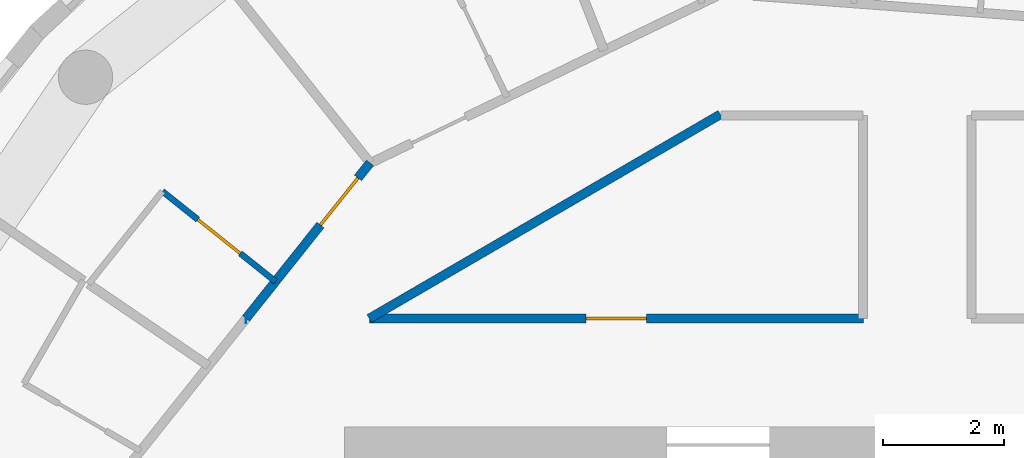
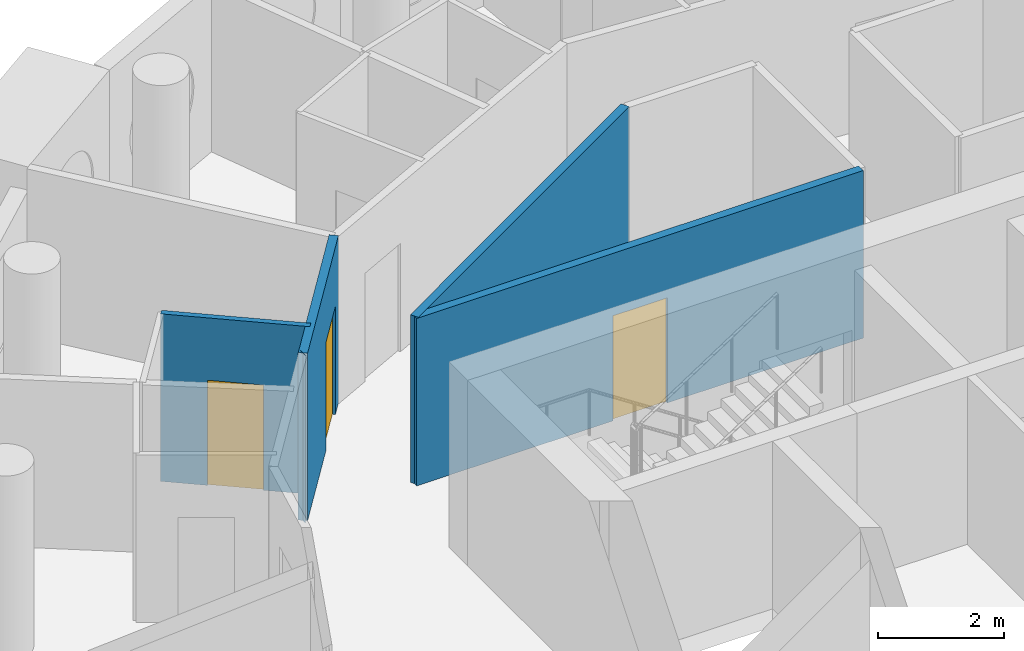
# One storey, part 6 of 12: 5 walls, 3 doors, 3 openings.
"""IFC4 building model written with IfcOpenShell, lengths in metres."""

from ifc_helpers import new_model, si_unit, direction, frame, frame_2d, origin, place, context, subcontext, project, spatial, rectangle, extrude, material, layer, layer_set, type_object, element, fill, save


model = new_model("IFC4")

# Units and contexts
model_context = context("Model", 3, precision=1e-05, world=origin(), true_north=direction((0.0, 1.0)))
body_context = subcontext(model_context, "Body", "Model", "MODEL_VIEW")
ifc_project = project(units=[si_unit("LENGTHUNIT", "METRE"), si_unit("AREAUNIT", "SQUARE_METRE"), si_unit("VOLUMEUNIT", "CUBIC_METRE"), si_unit("PLANEANGLEUNIT", "RADIAN"), si_unit("MASSUNIT", "GRAM", prefix="KILO")], contexts=[model_context])

# Site, building, storey
site_placement = place(None, origin())
site = spatial("IfcSite", under=ifc_project, at=site_placement, CompositionType="ELEMENT")
building_placement = place(site_placement, origin())
building = spatial("IfcBuilding", under=site, at=building_placement, Name="Tracery Tower", CompositionType="ELEMENT")
storey_placement = place(building_placement, frame((0.0, 0.0, 305.39990234375)))
storey = spatial("IfcBuildingStorey", under=building, at=storey_placement, Name="L79", CompositionType="ELEMENT", Elevation=305.39990234375)

# Wall, opening, door
ifc_material_1 = material(Name="Plasterboard on steel studs", Category="steel")
ifc_layer_1 = layer(ifc_material_1, 0.10009765625)
ifc_layer_set_1 = layer_set([ifc_layer_1], Name="Partition 100 wet wall")
wall_type_1 = type_object("IfcWallType", Name="Partition 100 wet wall", PredefinedType="PARTITIONING", material=ifc_layer_set_1)
wall_1_placement = place(storey_placement, frame((-12.52197265625, 10.909912109375, 0.0), z_axis=(0.0, 0.0, 1.0), x_axis=(0.781830263661, -0.623491330191, 0.0)))
wall_1 = element("IfcWall", 1, at=wall_1_placement, inside=storey, type_object=wall_type_1, Name="Wet wall RC8-069", PredefinedType="PARTITIONING", context=body_context, shape_type="SweptSolid", body=[
    extrude(rectangle(XDim=2.400634765625, YDim=0.10009765625, at=frame_2d((1.2001953125, 0.0))), origin(), (0.0, 0.0, 1.0), 3.25),
])
opening_1_placement = place(wall_1_placement, frame((0.7509765625, 0.0, 0.0)))
opening_1 = element("IfcOpeningElement", 2, at=opening_1_placement, cuts=wall_1, Name="Opening RC8-19", PredefinedType="OPENING", context=body_context, shape_type="SweptSolid", body=[
    extrude(rectangle(XDim=0.89990234375, YDim=2.0400390625, at=frame_2d((0.449951171875, 1.02001953125))), frame((0.0, 0.050048828125, 0.0), z_axis=(0.0, -1.0, 0.0), x_axis=(1.0, 0.0, 0.0)), (0.0, 0.0, 1.0), 0.10009765625),
])
ifc_material_2 = material(Name="Timber door leaf", Category="wood")
door_type_1 = type_object("IfcDoorType", Name="Door en-suite 900", OperationType="NOTDEFINED", PredefinedType="DOOR", material=ifc_material_2)
door_1_placement = place(opening_1_placement, origin())
door_1 = element("IfcDoor", 3, at=door_1_placement, inside=storey, type_object=door_type_1, Name="En-suite door RC8-19", OperationType="SINGLE_SWING_LEFT", OverallHeight=2.0400390625, OverallWidth=0.89990234375, PredefinedType="DOOR", context=body_context, shape_type="SweptSolid", body=[
    extrude(rectangle(XDim=0.89990234375, YDim=2.0400390625, at=frame_2d((0.449951171875, 1.02001953125))), frame((0.0, 0.02490234375, 0.0), z_axis=(0.0, -1.0, 0.0), x_axis=(1.0, 0.0, 0.0)), (0.0, 0.0, 1.0), 0.050048828125),
])
fill(opening_1, door_1)

# Wall
ifc_material_3 = material(Name="Plasterboard on steel studs", Category="steel")
ifc_layer_2 = layer(ifc_material_3, 0.14990234375)
ifc_layer_set_2 = layer_set([ifc_layer_2], Name="Partition 150 corridor wall")
wall_type_2 = type_object("IfcWallType", Name="Partition 150 corridor wall", PredefinedType="PARTITIONING", material=ifc_layer_set_2)
wall_2_placement = place(storey_placement, frame((-9.092041015625, 8.800048828125, 0.0), z_axis=(0.0, 0.0, 1.0), x_axis=(0.864470922103, 0.502682827277, 0.0)))
element("IfcWall", 4, at=wall_2_placement, inside=storey, type_object=wall_type_2, Name="Corridor wall RC8-001", PredefinedType="PARTITIONING", context=body_context, shape_type="SweptSolid", body=[
    extrude(rectangle(XDim=6.7353515625, YDim=0.14990234375, at=frame_2d((3.36767578125, 0.0))), origin(), (0.0, 0.0, 1.0), 3.25),
])

# Wall, opening, door
wall_3_placement = place(storey_placement, frame((-9.092041015625, 8.800048828125, 0.0), z_axis=(0.0, 0.0, 1.0), x_axis=(1.0, 0.0, 0.0)))
wall_3 = element("IfcWall", 5, at=wall_3_placement, inside=storey, type_object=wall_type_2, Name="Corridor wall RC8-002", PredefinedType="PARTITIONING", context=body_context, shape_type="SweptSolid", body=[
    extrude(rectangle(XDim=8.196044921875, YDim=0.14990234375, at=frame_2d((4.09814453125, 0.0))), origin(), (0.0, 0.0, 1.0), 3.25),
])
opening_2_placement = place(wall_3_placement, frame((3.597900390625, 0.0, 0.0)))
opening_2 = element("IfcOpeningElement", 6, at=opening_2_placement, cuts=wall_3, Name="Opening RC8-01", PredefinedType="OPENING", context=body_context, shape_type="SweptSolid", body=[
    extrude(rectangle(XDim=1.0, YDim=2.0400390625, at=frame_2d((0.5, 1.02001953125))), frame((0.0, 0.074951171875, 0.0), z_axis=(0.0, -1.0, 0.0), x_axis=(1.0, 0.0, 0.0)), (0.0, 0.0, 1.0), 0.14990234375),
])
ifc_material_4 = material(Name="Timber door leaf", Category="wood")
door_type_2 = type_object("IfcDoorType", Name="Door communal room 1000", OperationType="NOTDEFINED", PredefinedType="DOOR", material=ifc_material_4)
door_2_placement = place(opening_2_placement, origin())
door_2 = element("IfcDoor", 7, at=door_2_placement, inside=storey, type_object=door_type_2, Name="Communal room door RC8-01", OperationType="SINGLE_SWING_RIGHT", OverallHeight=2.0400390625, OverallWidth=1.0, PredefinedType="DOOR", context=body_context, shape_type="SweptSolid", body=[
    extrude(rectangle(XDim=1.0, YDim=2.0400390625, at=frame_2d((0.5, 1.02001953125))), frame((0.0, 0.02490234375, 0.0), z_axis=(0.0, -1.0, 0.0), x_axis=(1.0, 0.0, 0.0)), (0.0, 0.0, 1.0), 0.050048828125),
])
fill(opening_2, door_2)

wall_4_placement = place(storey_placement, frame((-11.135986328125, 8.802001953125, 0.0), z_axis=(0.0, 0.0, 1.0), x_axis=(0.623151397235, 0.782101231379, 0.0)))
wall_4 = element("IfcWall", 8, at=wall_4_placement, inside=storey, type_object=wall_type_2, Name="Corridor wall RC8-008", PredefinedType="PARTITIONING", context=body_context, shape_type="SweptSolid", body=[
    extrude(rectangle(XDim=3.30078125, YDim=0.14990234375, at=frame_2d((1.650390625, 0.0))), origin(), (0.0, 0.0, 1.0), 3.25),
])
opening_3_placement = place(wall_4_placement, frame((1.980712890625, 0.0, 0.0)))
opening_3 = element("IfcOpeningElement", 9, at=opening_3_placement, cuts=wall_4, Name="Opening RC8-20", PredefinedType="OPENING", context=body_context, shape_type="SweptSolid", body=[
    extrude(rectangle(XDim=1.0, YDim=2.10009765625, at=frame_2d((0.5, 1.050048828125))), frame((0.0, 0.074951171875, 0.0), z_axis=(0.0, -1.0, 0.0), x_axis=(1.0, 0.0, 0.0)), (0.0, 0.0, 1.0), 0.14990234375),
])
ifc_material_5 = material(Name="Timber door leaf", Category="wood")
door_type_3 = type_object("IfcDoorType", Name="Door unit entrance 1000", OperationType="NOTDEFINED", PredefinedType="DOOR", material=ifc_material_5)
door_3_placement = place(opening_3_placement, origin())
door_3 = element("IfcDoor", 10, at=door_3_placement, inside=storey, type_object=door_type_3, Name="Unit entrance door RC8-20", OperationType="SINGLE_SWING_LEFT", OverallHeight=2.10009765625, OverallWidth=1.0, PredefinedType="DOOR", context=body_context, shape_type="SweptSolid", body=[
    extrude(rectangle(XDim=1.0, YDim=2.10009765625, at=frame_2d((0.5, 1.050048828125))), frame((0.0, 0.02490234375, 0.0), z_axis=(0.0, -1.0, 0.0), x_axis=(1.0, 0.0, 0.0)), (0.0, 0.0, 1.0), 0.050048828125),
])
fill(opening_3, door_3)

# Wall
wall_5_placement = place(storey_placement, frame((-11.134033203125, 8.800048828125, 0.0), z_axis=(0.0, 0.0, 1.0), x_axis=(-1.0, 0.0, 0.0)))
element("IfcWall", 11, at=wall_5_placement, inside=storey, type_object=wall_type_2, Name="Corridor wall RC8-010", PredefinedType="PARTITIONING", context=body_context, shape_type="SweptSolid", body=[
    extrude(rectangle(XDim=0.0029296875, YDim=0.14990234375, at=frame_2d((0.00146484375, 0.0))), origin(), (0.0, 0.0, 1.0), 3.25),
])

save(model, "model.ifc")
